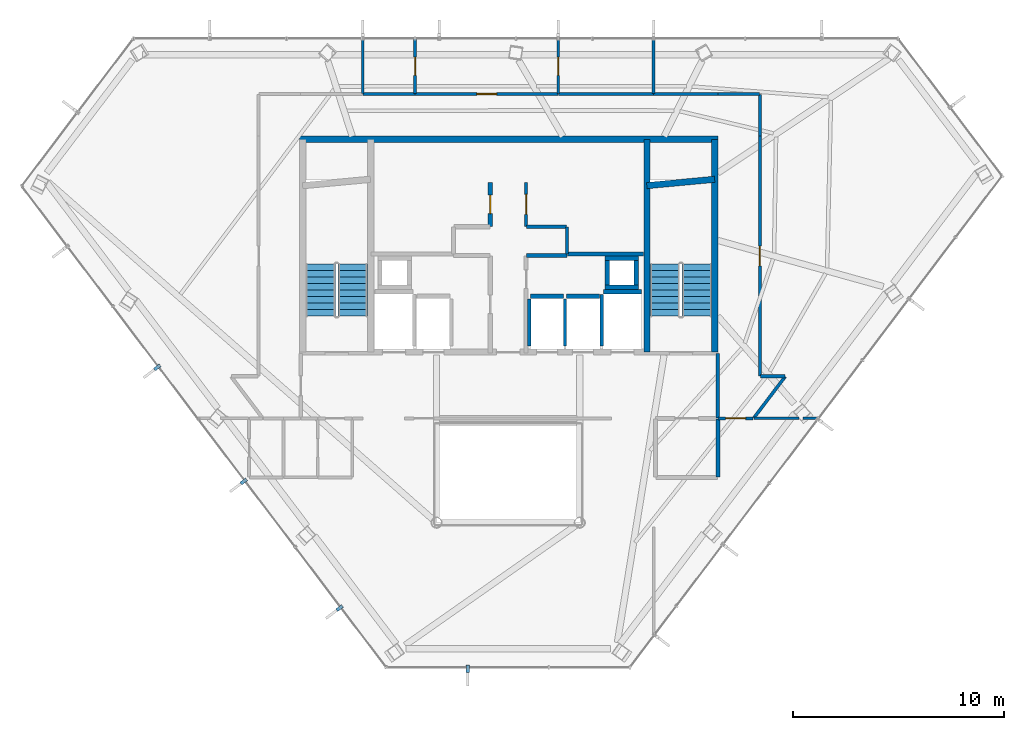
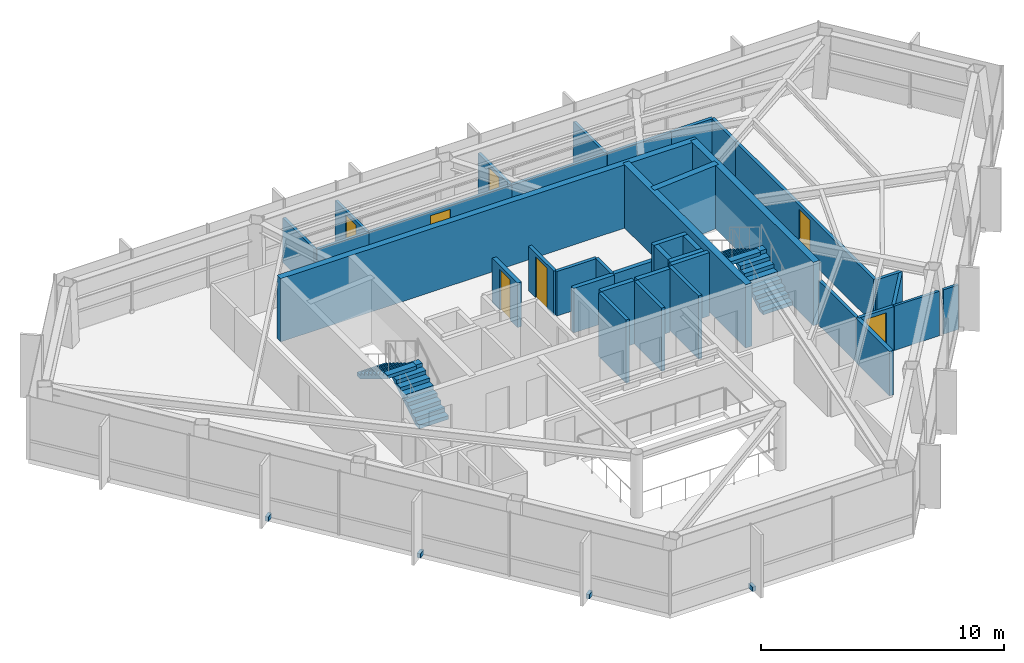
# One storey, part 25 of 27: 38 walls, 7 doors, 4 discrete accessories, 4 stair flights, 7 openings, 2 elements without a shape of their own.
"""IFC4 building model written with IfcOpenShell, lengths in metres."""

import ifcopenshell
import ifcopenshell.guid

model = None  # the IFC model being written
_history = None  # IfcOwnerHistory: only IFC2X3 demands one
_inside = {}  # id of a spatial element -> (the spatial element, [elements in it])
_under = {}  # id of a project, library or spatial element -> (it, [spatial elements below it])
_declared = {}  # id of a project -> (the project, [libraries it declares])
_typed = {}  # id of a type object -> (the type object, [elements of that type])
_made_of = {}  # id of a material, layer set ... -> (it, [elements and type objects made of it])


def new_model(schema):
    """Start an empty IFC model of exactly this schema.

    Asked for "IFC4X3", IfcOpenShell would pick the latest addendum, in which some entities
    have other attributes; the version numbers below select the first issue.
    IFC2X3 requires an IfcOwnerHistory on every rooted entity: one is made here for all.
    """
    global model, _history
    if schema == "IFC4X3":
        model = ifcopenshell.file(schema_version=(4, 3, 0, 0))
    else:
        model = ifcopenshell.file(schema=schema)
    _inside.clear()
    _under.clear()
    _declared.clear()
    _typed.clear()
    _made_of.clear()
    _history = None
    if model.schema == "IFC2X3":
        org = make("IfcOrganization", Name="unknown")
        user = make(
            "IfcPersonAndOrganization",
            ThePerson=make("IfcPerson", FamilyName="unknown"),
            TheOrganization=org,
        )
        app = make(
            "IfcApplication",
            ApplicationDeveloper=org,
            Version="unknown",
            ApplicationFullName="unknown",
            ApplicationIdentifier="unknown",
        )
        _history = make(
            "IfcOwnerHistory",
            OwningUser=user,
            OwningApplication=app,
            ChangeAction="ADDED",
            CreationDate=0,
        )
    return model


def make(cls, **values):
    """One entity of the class cls with the attributes given. An attribute that is None is left unset."""
    return model.create_entity(
        cls, **{name: value for name, value in values.items() if value is not None}
    )


def rooted(cls, **values):
    """An entity with a GlobalId (a new one), such as an element, a storey or a relation."""
    return make(cls, GlobalId=ifcopenshell.guid.new(), OwnerHistory=_history, **values)


def si_unit(unit_type, name, prefix=None):
    """IfcSIUnit, for example si_unit("LENGTHUNIT", "METRE", prefix="MILLI")."""
    return make("IfcSIUnit", UnitType=unit_type, Prefix=prefix, Name=name)


def assignment(units):
    """IfcUnitAssignment: the units of a project."""
    return None if units is None else make("IfcUnitAssignment", Units=units)


def point(xyz):
    """IfcCartesianPoint."""
    return None if xyz is None else make("IfcCartesianPoint", Coordinates=xyz)


def direction(xyz):
    """IfcDirection."""
    return None if xyz is None else make("IfcDirection", DirectionRatios=xyz)


def frame(location, z_axis=None, x_axis=None):
    """IfcAxis2Placement3D, a coordinate frame: its origin and axes. An axis left out is left unset."""
    return make(
        "IfcAxis2Placement3D",
        Location=point(location),
        Axis=direction(z_axis),
        RefDirection=direction(x_axis),
    )


def frame_2d(location, x_axis=None):
    """IfcAxis2Placement2D, a coordinate frame in the plane: its origin and x axis."""
    return make(
        "IfcAxis2Placement2D", Location=point(location), RefDirection=direction(x_axis)
    )


def origin():
    """The frame at (0, 0, 0) with its axes left unset."""
    return frame((0.0, 0.0, 0.0))


def origin_2d():
    """The frame at (0, 0) in the plane with its x axis left unset."""
    return frame_2d((0.0, 0.0))


def place(relative_to, where):
    """IfcLocalPlacement: puts the frame where relative to a parent placement (None: the world)."""
    return make(
        "IfcLocalPlacement", PlacementRelTo=relative_to, RelativePlacement=where
    )


def context(
    kind, dimensions, precision=None, world=None, true_north=None, identifier=None
):
    """IfcGeometricRepresentationContext, for example the 3D "Model" context."""
    return make(
        "IfcGeometricRepresentationContext",
        ContextIdentifier=identifier,
        ContextType=kind,
        CoordinateSpaceDimension=dimensions,
        Precision=precision,
        WorldCoordinateSystem=world,
        TrueNorth=true_north,
    )


def subcontext(parent, identifier, kind, view, scale=None):
    """IfcGeometricRepresentationSubContext, for example "Body" below "Model"."""
    return make(
        "IfcGeometricRepresentationSubContext",
        ContextIdentifier=identifier,
        ContextType=kind,
        ParentContext=parent,
        TargetScale=scale,
        TargetView=view,
    )


def project(units=None, contexts=None):
    """IfcProject with its units and contexts."""
    return rooted(
        "IfcProject",
        Name="project",
        RepresentationContexts=contexts,
        UnitsInContext=assignment(units),
    )


def spatial(cls, under=None, at=None, **own):
    """A site, building, storey or space (cls), placed at a placement, below another one or the project."""
    s = rooted(cls, ObjectPlacement=at, **own)
    if under is not None:
        _under.setdefault(under.id(), (under, []))[1].append(s)
    return s


def polyline(points):
    """IfcPolyline through the points."""
    return make("IfcPolyline", Points=[point(p) for p in points])


def profile(cls, at=None, kind="AREA", **sizes):
    """A parametric profile (cls). Its sizes go by their IFC names, for example OverallWidth=200.0."""
    return make(cls, ProfileType=kind, Position=at, **sizes)


def rectangle(**sizes):
    """IfcRectangleProfileDef."""
    return profile("IfcRectangleProfileDef", **sizes)


def outline(outer, holes=None, kind="AREA"):
    """IfcArbitraryClosedProfileDef: a profile drawn as a closed curve; with holes, ...WithVoids."""
    if holes is None:
        return make("IfcArbitraryClosedProfileDef", ProfileType=kind, OuterCurve=outer)
    return make(
        "IfcArbitraryProfileDefWithVoids",
        ProfileType=kind,
        OuterCurve=outer,
        InnerCurves=holes,
    )


def extrude(swept, where, along, depth):
    """IfcExtrudedAreaSolid: the profile swept, set in the frame where, extruded along a direction by depth."""
    return make(
        "IfcExtrudedAreaSolid",
        SweptArea=swept,
        Position=where,
        ExtrudedDirection=direction(along),
        Depth=depth,
    )


def shape(context_of_items, identifier, shape_type, items):
    """IfcShapeRepresentation: the items that make up one representation, for example the "Body"."""
    return make(
        "IfcShapeRepresentation",
        ContextOfItems=context_of_items,
        RepresentationIdentifier=identifier,
        RepresentationType=shape_type,
        Items=items,
    )


def material(Name=None, Category=None):
    """IfcMaterial."""
    return make("IfcMaterial", Name=Name, Category=Category)


def layer(
    of_material, thickness, ventilated=None, Name=None, Category=None, Priority=None
):
    """IfcMaterialLayer: one layer of a wall or slab, of a material (None: an air gap)."""
    return make(
        "IfcMaterialLayer",
        Material=of_material,
        LayerThickness=thickness,
        IsVentilated=ventilated,
        Name=Name,
        Category=Category,
        Priority=Priority,
    )


def layer_set(layers, Name=None):
    """IfcMaterialLayerSet."""
    return make("IfcMaterialLayerSet", MaterialLayers=layers, LayerSetName=Name)


def made_of(thing, what):
    """Note that an element or type object is made of a material, layer set ...; save() writes the relation."""
    if what is not None:
        _made_of.setdefault(what.id(), (what, []))[1].append(thing)
    return thing


def type_object(cls, material=None, **own):
    """A type object (cls), such as IfcWallType, which elements share."""
    return made_of(rooted(cls, **own), material)


def element(
    cls,
    number,
    at=None,
    inside=None,
    cuts=None,
    type_object=None,
    material=None,
    context=None,
    identifier="Body",
    shape_type=None,
    held_by="IfcProductDefinitionShape",
    body=None,
    shapes=None,
    **own,
):
    """One element of the class cls, such as IfcWall. Its Tag is "e" and its number.

    at: its placement. inside: the storey or other place that contains it. cuts: it is an
    opening in that element (IfcRelVoidsElement). A single representation is given by context,
    identifier, shape_type and body (its items); several are given by shapes. held_by: the class
    of the entity that holds the representations. save() writes the other relations.
    """
    e = rooted(cls, Tag="e%d" % number, ObjectPlacement=at, **own)
    if body is not None:
        shapes = [shape(context, identifier, shape_type, body)]
    if shapes is not None:
        e.Representation = make(held_by, Representations=shapes)
    if inside is not None:
        _inside.setdefault(inside.id(), (inside, []))[1].append(e)
    if cuts is not None:
        rooted(
            "IfcRelVoidsElement", RelatingBuildingElement=cuts, RelatedOpeningElement=e
        )
    if type_object is not None:
        _typed.setdefault(type_object.id(), (type_object, []))[1].append(e)
    return made_of(e, material)


def fill(opening, filler):
    """IfcRelFillsElement: the door or window that sits in an opening."""
    return rooted(
        "IfcRelFillsElement",
        RelatingOpeningElement=opening,
        RelatedBuildingElement=filler,
    )


def aggregate(whole, parts):
    """IfcRelAggregates: a whole, such as a stair, and the parts it consists of."""
    return rooted("IfcRelAggregates", RelatingObject=whole, RelatedObjects=parts)


def save(model, path):
    """Write the relations noted so far, then the file.

    IfcRelAggregates (storeys below a building ...), IfcRelContainedInSpatialStructure (elements
    in a storey), IfcRelDefinesByType, IfcRelAssociatesMaterial and IfcRelDeclares: one each for
    every whole, place, type object, material and project.
    """
    for whole, parts in _under.values():
        aggregate(whole, parts)
    for where, things in _inside.values():
        rooted(
            "IfcRelContainedInSpatialStructure",
            RelatedElements=things,
            RelatingStructure=where,
        )
    for kind, things in _typed.values():
        rooted("IfcRelDefinesByType", RelatedObjects=things, RelatingType=kind)
    for what, things in _made_of.values():
        rooted("IfcRelAssociatesMaterial", RelatedObjects=things, RelatingMaterial=what)
    for by, libraries in _declared.values():
        rooted("IfcRelDeclares", RelatingContext=by, RelatedDefinitions=libraries)
    model.write(path)


model = new_model("IFC4")

# Units and contexts
model_context = context("Model", 3, precision=1e-05, world=origin(), true_north=direction((0.0, 1.0)))
body_context = subcontext(model_context, "Body", "Model", "MODEL_VIEW")
ifc_project = project(units=[si_unit("LENGTHUNIT", "METRE"), si_unit("AREAUNIT", "SQUARE_METRE"), si_unit("VOLUMEUNIT", "CUBIC_METRE"), si_unit("PLANEANGLEUNIT", "RADIAN"), si_unit("MASSUNIT", "GRAM", prefix="KILO")], contexts=[model_context])

# Site, building, storey
site_placement = place(None, origin())
site = spatial("IfcSite", under=ifc_project, at=site_placement, CompositionType="ELEMENT")
building_placement = place(site_placement, origin())
building = spatial("IfcBuilding", under=site, at=building_placement, Name="Zarrinselat Tower", CompositionType="ELEMENT")
storey_placement = place(building_placement, frame((0.0, 0.0, 235.9599609375)))
storey = spatial("IfcBuildingStorey", under=building, at=storey_placement, Name="L59", CompositionType="ELEMENT", Elevation=235.9599609375)

# Wall
ifc_material_1 = material(Name="Concrete C40/50", Category="concrete")
ifc_layer_1 = layer(ifc_material_1, 0.18994140625)
ifc_layer_set_1 = layer_set([ifc_layer_1], Name="Concrete C40/50")
wall_type_1 = type_object("IfcWallType", Name="WAL-PART-EI120", PredefinedType="PARTITIONING", material=ifc_layer_set_1)
wall_1_placement = place(storey_placement, frame((48.35009765625, 27.3701171875, 0.0), z_axis=(0.0, 0.0, 1.0), x_axis=(0.0, 1.0, 0.0)))
element("IfcWall", 1, at=wall_1_placement, inside=storey, type_object=wall_type_1, Name="L59 Partition Wall 22", PredefinedType="PARTITIONING", context=body_context, shape_type="SweptSolid", body=[
    extrude(rectangle(XDim=2.759765625, YDim=0.18994140625, at=frame_2d((1.3798828125, 0.0))), origin(), (0.0, 0.0, 1.0), 2.235107421875),
])

# Wall, opening, door
ifc_material_2 = material(Name="Fire-Rated Gypsum Board Partition", Category="gypsum")
ifc_layer_2 = layer(ifc_material_2, 0.14990234375)
ifc_layer_set_2 = layer_set([ifc_layer_2], Name="Fire-Rated Gypsum Board Partition")
wall_type_2 = type_object("IfcWallType", Name="WAL-PART-EI60", PredefinedType="PARTITIONING", material=ifc_layer_set_2)
wall_2_placement = place(storey_placement, frame((39.25, 39.27001953125, 0.0), z_axis=(0.0, 0.0, 1.0), x_axis=(0.0, 1.0, 0.0)))
wall_2 = element("IfcWall", 2, at=wall_2_placement, inside=storey, type_object=wall_type_2, Name="L59 Partition Wall 8", PredefinedType="PARTITIONING", context=body_context, shape_type="SweptSolid", body=[
    extrude(rectangle(XDim=2.080078125, YDim=0.14990234375, at=frame_2d((1.0400390625, 0.0))), origin(), (0.0, 0.0, 1.0), 2.235107421875),
])
opening_1_placement = place(wall_2_placement, frame((0.570068359375, 0.0, 0.0)))
opening_1 = element("IfcOpeningElement", 3, at=opening_1_placement, cuts=wall_2, Name="Opening ID-04", PredefinedType="OPENING", context=body_context, shape_type="SweptSolid", body=[
    extrude(rectangle(XDim=0.93994140625, YDim=2.050048828125, at=frame_2d((0.469970703125, 1.02490234375))), frame((0.0, 0.0849609375, 0.0), z_axis=(0.0, -1.0, 0.0), x_axis=(1.0, 0.0, 0.0)), (0.0, 0.0, 1.0), 0.169921875),
])
ifc_material_3 = material(Name="Fire-Rated Gypsum Board Partition")
door_type_1 = type_object("IfcDoorType", Name="DR-INT-FD30-ENT", OperationType="NOTDEFINED", PredefinedType="DOOR", material=ifc_material_3)
door_1_placement = place(opening_1_placement, origin())
door_1 = element("IfcDoor", 4, at=door_1_placement, inside=storey, type_object=door_type_1, Name="L59 Interior Door P8", OperationType="SINGLE_SWING_LEFT", OverallHeight=2.050048828125, OverallWidth=0.93994140625, PredefinedType="DOOR", context=body_context, shape_type="SweptSolid", body=[
    extrude(rectangle(XDim=0.93994140625, YDim=2.050048828125, at=frame_2d((0.469970703125, 1.02490234375))), frame((0.0, 0.02490234375, 0.0), z_axis=(0.0, -1.0, 0.0), x_axis=(1.0, 0.0, 0.0)), (0.0, 0.0, 1.0), 0.050048828125),
])
fill(opening_1, door_1)

# Walls
wall_3_placement = place(storey_placement, frame((39.27001953125, 39.25, 0.0), z_axis=(0.0, 0.0, 1.0), x_axis=(1.0, 0.0, 0.0)))
element("IfcWall", 5, at=wall_3_placement, inside=storey, type_object=wall_type_2, Name="L59 Partition Wall 9", PredefinedType="PARTITIONING", context=body_context, shape_type="SweptSolid", body=[
    extrude(rectangle(XDim=1.909912109375, YDim=0.14990234375, at=frame_2d((0.955078125, 0.0))), origin(), (0.0, 0.0, 1.0), 2.235107421875),
])
wall_4_placement = place(storey_placement, frame((41.199951171875, 37.955078125, 0.0), z_axis=(0.0, 0.0, 1.0), x_axis=(0.0, 1.0, 0.0)))
element("IfcWall", 6, at=wall_4_placement, inside=storey, type_object=wall_type_2, Name="L59 Partition Wall 10", PredefinedType="PARTITIONING", context=body_context, shape_type="SweptSolid", body=[
    extrude(rectangle(XDim=1.27490234375, YDim=0.14990234375, at=frame_2d((0.637451171875, 0.0))), origin(), (0.0, 0.0, 1.0), 2.235107421875),
])
wall_5_placement = place(storey_placement, frame((48.35009765625, 30.169921875, 0.0), z_axis=(0.0, 0.0, 1.0), x_axis=(0.0, 1.0, 0.0)))
element("IfcWall", 7, at=wall_5_placement, inside=storey, type_object=wall_type_2, Name="L59 Partition Wall 15", PredefinedType="PARTITIONING", context=body_context, shape_type="SweptSolid", body=[
    extrude(rectangle(XDim=3.06005859375, YDim=0.14990234375, at=frame_2d((1.530029296875, 0.0))), origin(), (0.0, 0.0, 1.0), 2.235107421875),
])

# Wall, opening, door
wall_6_placement = place(storey_placement, frame((48.3701171875, 30.14990234375, 0.0), z_axis=(0.0, 0.0, 1.0), x_axis=(1.0, 0.0, 0.0)))
wall_6 = element("IfcWall", 8, at=wall_6_placement, inside=storey, type_object=wall_type_2, Name="L59 Partition Wall 25", PredefinedType="PARTITIONING", context=body_context, shape_type="SweptSolid", body=[
    extrude(rectangle(XDim=1.6552734375, YDim=0.14990234375, at=frame_2d((0.82763671875, 0.0))), origin(), (0.0, 0.0, 1.0), 2.235107421875),
])
opening_2_placement = place(wall_6_placement, frame((0.357666015625, 0.0, 0.0)))
opening_2 = element("IfcOpeningElement", 9, at=opening_2_placement, cuts=wall_6, Name="Opening ID-04", PredefinedType="OPENING", context=body_context, shape_type="SweptSolid", body=[
    extrude(rectangle(XDim=0.93994140625, YDim=2.050048828125, at=frame_2d((0.469970703125, 1.02490234375))), frame((0.0, 0.0849609375, 0.0), z_axis=(0.0, -1.0, 0.0), x_axis=(1.0, 0.0, 0.0)), (0.0, 0.0, 1.0), 0.169921875),
])
door_2_placement = place(opening_2_placement, origin())
door_2 = element("IfcDoor", 10, at=door_2_placement, inside=storey, type_object=door_type_1, Name="L59 Interior Door P25", OperationType="SINGLE_SWING_RIGHT", OverallHeight=2.050048828125, OverallWidth=0.93994140625, PredefinedType="DOOR", context=body_context, shape_type="SweptSolid", body=[
    extrude(rectangle(XDim=0.93994140625, YDim=2.050048828125, at=frame_2d((0.469970703125, 1.02490234375))), frame((0.0, 0.02490234375, 0.0), z_axis=(0.0, -1.0, 0.0), x_axis=(1.0, 0.0, 0.0)), (0.0, 0.0, 1.0), 0.050048828125),
])
fill(opening_2, door_2)

# Walls
wall_7_placement = place(storey_placement, frame((45.304931640625, 45.550048828125, 0.0), z_axis=(0.0, 0.0, 1.0), x_axis=(1.0, 0.0, 0.0)))
element("IfcWall", 11, at=wall_7_placement, inside=storey, type_object=wall_type_2, Name="L59 Partition Wall 32", PredefinedType="PARTITIONING", context=body_context, shape_type="SweptSolid", body=[
    extrude(rectangle(XDim=3.045166015625, YDim=0.14990234375, at=frame_2d((1.5224609375, 0.0))), origin(), (0.0, 0.0, 1.0), 2.235107421875),
])
for number, where, z_axis, x_axis, name in (
    (12, (48.35009765625, 45.550048828125, 0.0), (0.0, 0.0, 1.0), (1.0, 0.0, 0.0), "L59 Partition Wall 33"),
    (13, (50.35009765625, 43.550048828125, 0.0), (0.0, 0.0, 1.0), (0.0, 1.0, 0.0), "L59 Partition Wall 34"),
):
    element("IfcWall", number, at=place(storey_placement, frame(where, z_axis=z_axis, x_axis=x_axis)), inside=storey, type_object=wall_type_2, Name=name, PredefinedType="PARTITIONING", context=body_context, shape_type="SweptSolid", body=[
        extrude(rectangle(XDim=1.97998046875, YDim=0.14990234375, at=frame_2d((0.989990234375, 0.0))), origin(), (0.0, 0.0, 1.0), 2.235107421875),
    ])

# Wall, opening, door
wall_8_placement = place(storey_placement, frame((50.35009765625, 32.169921875, 0.0), z_axis=(0.0, 0.0, 1.0), x_axis=(0.0, 1.0, 0.0)))
wall_8 = element("IfcWall", 14, at=wall_8_placement, inside=storey, type_object=wall_type_2, Name="L59 Partition Wall 35", PredefinedType="PARTITIONING", context=body_context, shape_type="SweptSolid", body=[
    extrude(rectangle(XDim=11.380126953125, YDim=0.14990234375, at=frame_2d((5.68994140625, 0.0))), origin(), (0.0, 0.0, 1.0), 2.235107421875),
])
opening_3_placement = place(wall_8_placement, frame((5.219970703125, 0.0, 0.0)))
opening_3 = element("IfcOpeningElement", 15, at=opening_3_placement, cuts=wall_8, Name="Opening ID-04", PredefinedType="OPENING", context=body_context, shape_type="SweptSolid", body=[
    extrude(rectangle(XDim=0.93994140625, YDim=2.050048828125, at=frame_2d((0.469970703125, 1.02490234375))), frame((0.0, 0.0849609375, 0.0), z_axis=(0.0, -1.0, 0.0), x_axis=(1.0, 0.0, 0.0)), (0.0, 0.0, 1.0), 0.169921875),
])
door_3_placement = place(opening_3_placement, origin())
door_3 = element("IfcDoor", 16, at=door_3_placement, inside=storey, type_object=door_type_1, Name="L59 Interior Door P35", OperationType="SINGLE_SWING_RIGHT", OverallHeight=2.050048828125, OverallWidth=0.93994140625, PredefinedType="DOOR", context=body_context, shape_type="SweptSolid", body=[
    extrude(rectangle(XDim=0.93994140625, YDim=2.050048828125, at=frame_2d((0.469970703125, 1.02490234375))), frame((0.0, 0.02490234375, 0.0), z_axis=(0.0, -1.0, 0.0), x_axis=(1.0, 0.0, 0.0)), (0.0, 0.0, 1.0), 0.050048828125),
])
fill(opening_3, door_3)

# Walls
wall_9_placement = place(storey_placement, frame((50.3701171875, 32.14990234375, 0.0), z_axis=(0.0, 0.0, 1.0), x_axis=(1.0, 0.0, 0.0)))
element("IfcWall", 17, at=wall_9_placement, inside=storey, type_object=wall_type_2, Name="L59 Partition Wall 36", PredefinedType="PARTITIONING", context=body_context, shape_type="SweptSolid", body=[
    extrude(rectangle(XDim=1.17041015625, YDim=0.14990234375, at=frame_2d((0.585205078125, 0.0))), origin(), (0.0, 0.0, 1.0), 2.235107421875),
])
wall_10_placement = place(storey_placement, frame((50.057373046875, 30.166015625, 0.0), z_axis=(0.0, 0.0, 1.0), x_axis=(0.603869110647, 0.797083494502, 0.0)))
element("IfcWall", 18, at=wall_10_placement, inside=storey, type_object=wall_type_2, Name="L59 Partition Wall 37", PredefinedType="PARTITIONING", context=body_context, shape_type="SweptSolid", body=[
    extrude(rectangle(XDim=2.468994140625, YDim=0.14990234375, at=frame_2d((1.234375, 0.0))), origin(), (0.0, 0.0, 1.0), 2.235107421875),
])

# Wall, opening, door
wall_11_placement = place(storey_placement, frame((33.989013671875, 45.550048828125, 0.0), z_axis=(0.0, 0.0, 1.0), x_axis=(1.0, 0.0, 0.0)))
wall_11 = element("IfcWall", 19, at=wall_11_placement, inside=storey, type_object=wall_type_2, Name="L59 Partition Wall 38", PredefinedType="PARTITIONING", context=body_context, shape_type="SweptSolid", body=[
    extrude(rectangle(XDim=6.779541015625, YDim=0.14990234375, at=frame_2d((3.3896484375, 0.0))), origin(), (0.0, 0.0, 1.0), 2.235107421875),
])
opening_4_placement = place(wall_11_placement, frame((2.919921875, 0.0, 0.0)))
opening_4 = element("IfcOpeningElement", 20, at=opening_4_placement, cuts=wall_11, Name="Opening ID-04", PredefinedType="OPENING", context=body_context, shape_type="SweptSolid", body=[
    extrude(rectangle(XDim=0.93994140625, YDim=2.050048828125, at=frame_2d((0.469970703125, 1.02490234375))), frame((0.0, 0.0849609375, 0.0), z_axis=(0.0, -1.0, 0.0), x_axis=(1.0, 0.0, 0.0)), (0.0, 0.0, 1.0), 0.169921875),
])
door_4_placement = place(opening_4_placement, origin())
door_4 = element("IfcDoor", 21, at=door_4_placement, inside=storey, type_object=door_type_1, Name="L59 Interior Door P38", OperationType="SINGLE_SWING_LEFT", OverallHeight=2.050048828125, OverallWidth=0.93994140625, PredefinedType="DOOR", context=body_context, shape_type="SweptSolid", body=[
    extrude(rectangle(XDim=0.93994140625, YDim=2.050048828125, at=frame_2d((0.469970703125, 1.02490234375))), frame((0.0, 0.02490234375, 0.0), z_axis=(0.0, -1.0, 0.0), x_axis=(1.0, 0.0, 0.0)), (0.0, 0.0, 1.0), 0.050048828125),
])
fill(opening_4, door_4)

# Walls
wall_12_placement = place(storey_placement, frame((40.778564453125, 45.550048828125, 0.0), z_axis=(0.0, 0.0, 1.0), x_axis=(1.0, 0.0, 0.0)))
element("IfcWall", 22, at=wall_12_placement, inside=storey, type_object=wall_type_2, Name="L59 Partition Wall 39", PredefinedType="PARTITIONING", context=body_context, shape_type="SweptSolid", body=[
    extrude(rectangle(XDim=4.516357421875, YDim=0.14990234375, at=frame_2d((2.25830078125, 0.0))), origin(), (0.0, 0.0, 1.0), 2.235107421875),
])
wall_13_placement = place(storey_placement, frame((31.5048828125, 45.550048828125, 0.0), z_axis=(0.0, 0.0, 1.0), x_axis=(1.0, 0.0, 0.0)))
element("IfcWall", 23, at=wall_13_placement, inside=storey, type_object=wall_type_2, Name="L59 Partition Wall 40", PredefinedType="PARTITIONING", context=body_context, shape_type="SweptSolid", body=[
    extrude(rectangle(XDim=2.47412109375, YDim=0.14990234375, at=frame_2d((1.237060546875, 0.0))), origin(), (0.0, 0.0, 1.0), 2.235107421875),
])

# Wall, opening, door
ifc_material_4 = material(Name="Concrete C40/50", Category="concrete")
ifc_layer_3 = layer(ifc_material_4, 0.199951171875)
ifc_layer_set_3 = layer_set([ifc_layer_3], Name="Concrete C40/50")
wall_type_3 = type_object("IfcWallType", Name="WAL-PART-PLANT", PredefinedType="PARTITIONING", material=ifc_layer_set_3)
wall_14_placement = place(storey_placement, frame((37.550048828125, 39.27001953125, 0.0), z_axis=(0.0, 0.0, 1.0), x_axis=(0.0, 1.0, 0.0)))
wall_14 = element("IfcWall", 24, at=wall_14_placement, inside=storey, type_object=wall_type_3, Name="L59 Partition Wall 5", PredefinedType="PARTITIONING", context=body_context, shape_type="SweptSolid", body=[
    extrude(rectangle(XDim=2.080078125, YDim=0.199951171875, at=frame_2d((1.0400390625, 0.0))), origin(), (0.0, 0.0, 1.0), 2.235107421875),
])
opening_5_placement = place(wall_14_placement, frame((0.60009765625, 0.0, 0.0)))
opening_5 = element("IfcOpeningElement", 25, at=opening_5_placement, cuts=wall_14, Name="Opening ID-03", PredefinedType="OPENING", context=body_context, shape_type="SweptSolid", body=[
    extrude(rectangle(XDim=0.8798828125, YDim=2.050048828125, at=frame_2d((0.43994140625, 1.02490234375))), frame((0.0, 0.10986328125, 0.0), z_axis=(0.0, -1.0, 0.0), x_axis=(1.0, 0.0, 0.0)), (0.0, 0.0, 1.0), 0.219970703125),
])
ifc_material_5 = material(Name="Steel S355J2", Category="steel")
door_type_2 = type_object("IfcDoorType", Name="DR-INT-FD60-S", OperationType="NOTDEFINED", PredefinedType="DOOR", material=ifc_material_5)
door_5_placement = place(opening_5_placement, origin())
door_5 = element("IfcDoor", 26, at=door_5_placement, inside=storey, type_object=door_type_2, Name="L59 Interior Door P5", OperationType="SINGLE_SWING_LEFT", OverallHeight=2.050048828125, OverallWidth=0.8798828125, PredefinedType="DOOR", context=body_context, shape_type="SweptSolid", body=[
    extrude(rectangle(XDim=0.8798828125, YDim=2.050048828125, at=frame_2d((0.43994140625, 1.02490234375))), frame((0.0, 0.02490234375, 0.0), z_axis=(0.0, -1.0, 0.0), x_axis=(1.0, 0.0, 0.0)), (0.0, 0.0, 1.0), 0.050048828125),
])
fill(opening_5, door_5)

# Walls
wall_15_placement = place(storey_placement, frame((39.27001953125, 37.8798828125, 0.0), z_axis=(0.0, 0.0, 1.0), x_axis=(1.0, 0.0, 0.0)))
element("IfcWall", 27, at=wall_15_placement, inside=storey, type_object=wall_type_3, Name="L59 Partition Wall 6", PredefinedType="PARTITIONING", context=body_context, shape_type="SweptSolid", body=[
    extrude(rectangle(XDim=1.929931640625, YDim=0.199951171875, at=frame_2d((0.96484375, 0.0))), origin(), (0.0, 0.0, 1.0), 2.235107421875),
])
wall_16_placement = place(storey_placement, frame((41.219970703125, 37.949951171875, 0.0), z_axis=(0.0, 0.0, 1.0), x_axis=(1.0, 0.0, 0.0)))
element("IfcWall", 28, at=wall_16_placement, inside=storey, type_object=wall_type_3, Name="L59 Partition Wall 12", PredefinedType="PARTITIONING", context=body_context, shape_type="SweptSolid", body=[
    extrude(rectangle(XDim=3.614990234375, YDim=0.199951171875, at=frame_2d((1.8076171875, 0.0))), origin(), (0.0, 0.0, 1.0), 2.235107421875),
])
ifc_material_6 = material(Name="Fire-Rated Gypsum Board Partition", Category="gypsum")
ifc_layer_4 = layer(ifc_material_6, 0.1201171875)
ifc_layer_set_4 = layer_set([ifc_layer_4], Name="Fire-Rated Gypsum Board Partition")
wall_type_4 = type_object("IfcWallType", Name="WAL-PART-STD", PredefinedType="PARTITIONING", material=ifc_layer_set_4)
wall_17_placement = place(storey_placement, frame((50.065185546875, 30.14990234375, 0.0), z_axis=(0.0, 0.0, 1.0), x_axis=(1.0, 0.0, 0.0)))
element("IfcWall", 29, at=wall_17_placement, inside=storey, type_object=wall_type_4, Name="L59 Partition Wall 52", PredefinedType="PARTITIONING", context=body_context, shape_type="SweptSolid", body=[
    extrude(rectangle(XDim=2.13134765625, YDim=0.1201171875, at=frame_2d((1.065673828125, 0.0))), origin(), (0.0, 0.0, 1.0), 2.235107421875),
])
wall_18_placement = place(storey_placement, frame((52.403564453125, 30.14990234375, 0.0), z_axis=(0.0, 0.0, 1.0), x_axis=(1.0, 0.0, 0.0)))
element("IfcWall", 30, at=wall_18_placement, inside=storey, type_object=wall_type_4, Name="L59 Partition Wall 53", PredefinedType="PARTITIONING", context=body_context, shape_type="SweptSolid", body=[
    extrude(rectangle(XDim=0.712890625, YDim=0.1201171875, at=frame_2d((0.3564453125, 0.0))), origin(), (0.0, 0.0, 1.0), 2.235107421875),
])
ifc_material_7 = material(Name="Fire-Rated Gypsum Board Partition", Category="gypsum")
ifc_layer_5 = layer(ifc_material_7, 0.135009765625)
ifc_layer_set_5 = layer_set([ifc_layer_5], Name="Fire-Rated Gypsum Board Partition")
wall_type_5 = type_object("IfcWallType", Name="WAL-PART-WET", PredefinedType="PARTITIONING", material=ifc_layer_set_5)
for number, where, z_axis, x_axis, name in (
    (31, (31.5, 45.570068359375, 0.0), (0.0, 0.0, 1.0), (0.0, 1.0, 0.0), "L59 Partition Wall 54"),
    (32, (45.300048828125, 45.570068359375, 0.0), (0.0, 0.0, 1.0), (0.0, 1.0, 0.0), "L59 Partition Wall 55"),
):
    element("IfcWall", number, at=place(storey_placement, frame(where, z_axis=z_axis, x_axis=x_axis)), inside=storey, type_object=wall_type_5, Name=name, PredefinedType="PARTITIONING", context=body_context, shape_type="SweptSolid", body=[
        extrude(rectangle(XDim=2.5927734375, YDim=0.135009765625, at=frame_2d((1.29638671875, 0.0))), origin(), (0.0, 0.0, 1.0), 2.235107421875),
    ])

# Wall, opening, door
wall_19_placement = place(storey_placement, frame((40.773681640625, 45.570068359375, 0.0), z_axis=(0.0, 0.0, 1.0), x_axis=(0.0, 1.0, 0.0)))
wall_19 = element("IfcWall", 33, at=wall_19_placement, inside=storey, type_object=wall_type_5, Name="L59 Partition Wall 56", PredefinedType="PARTITIONING", context=body_context, shape_type="SweptSolid", body=[
    extrude(rectangle(XDim=2.5927734375, YDim=0.135009765625, at=frame_2d((1.29638671875, 0.0))), origin(), (0.0, 0.0, 1.0), 2.235107421875),
])
opening_6_placement = place(wall_19_placement, frame((0.866455078125, 0.0, 0.0)))
opening_6 = element("IfcOpeningElement", 34, at=opening_6_placement, cuts=wall_19, Name="Opening ID-06", PredefinedType="OPENING", context=body_context, shape_type="SweptSolid", body=[
    extrude(rectangle(XDim=0.860107421875, YDim=2.050048828125, at=frame_2d((0.43017578125, 1.02490234375))), frame((0.0, 0.077392578125, 0.0), z_axis=(0.0, -1.0, 0.0), x_axis=(1.0, 0.0, 0.0)), (0.0, 0.0, 1.0), 0.155029296875),
])
ifc_material_8 = material(Name="Extruded Aluminium Alloy EN AW-6063 T6", Category="aluminium")
door_type_3 = type_object("IfcDoorType", Name="DR-INT-WET-900", OperationType="NOTDEFINED", PredefinedType="DOOR", material=ifc_material_8)
door_6_placement = place(opening_6_placement, origin())
door_6 = element("IfcDoor", 35, at=door_6_placement, inside=storey, type_object=door_type_3, Name="L59 Interior Door P56", OperationType="SINGLE_SWING_RIGHT", OverallHeight=2.050048828125, OverallWidth=0.860107421875, PredefinedType="DOOR", context=body_context, shape_type="SweptSolid", body=[
    extrude(rectangle(XDim=0.860107421875, YDim=2.050048828125, at=frame_2d((0.43017578125, 1.02490234375))), frame((0.0, 0.02490234375, 0.0), z_axis=(0.0, -1.0, 0.0), x_axis=(1.0, 0.0, 0.0)), (0.0, 0.0, 1.0), 0.050048828125),
])
fill(opening_6, door_6)

wall_20_placement = place(storey_placement, frame((33.98388671875, 45.570068359375, 0.0), z_axis=(0.0, 0.0, 1.0), x_axis=(0.0, 1.0, 0.0)))
wall_20 = element("IfcWall", 36, at=wall_20_placement, inside=storey, type_object=wall_type_5, Name="L59 Partition Wall 57", PredefinedType="PARTITIONING", context=body_context, shape_type="SweptSolid", body=[
    extrude(rectangle(XDim=2.5927734375, YDim=0.135009765625, at=frame_2d((1.29638671875, 0.0))), origin(), (0.0, 0.0, 1.0), 2.235107421875),
])
opening_7_placement = place(wall_20_placement, frame((0.866455078125, 0.0, 0.0)))
opening_7 = element("IfcOpeningElement", 37, at=opening_7_placement, cuts=wall_20, Name="Opening ID-06", PredefinedType="OPENING", context=body_context, shape_type="SweptSolid", body=[
    extrude(rectangle(XDim=0.860107421875, YDim=2.050048828125, at=frame_2d((0.43017578125, 1.02490234375))), frame((0.0, 0.077392578125, 0.0), z_axis=(0.0, -1.0, 0.0), x_axis=(1.0, 0.0, 0.0)), (0.0, 0.0, 1.0), 0.155029296875),
])
door_7_placement = place(opening_7_placement, origin())
door_7 = element("IfcDoor", 38, at=door_7_placement, inside=storey, type_object=door_type_3, Name="L59 Interior Door P57", OperationType="SINGLE_SWING_LEFT", OverallHeight=2.050048828125, OverallWidth=0.860107421875, PredefinedType="DOOR", context=body_context, shape_type="SweptSolid", body=[
    extrude(rectangle(XDim=0.860107421875, YDim=2.050048828125, at=frame_2d((0.43017578125, 1.02490234375))), frame((0.0, 0.02490234375, 0.0), z_axis=(0.0, -1.0, 0.0), x_axis=(1.0, 0.0, 0.0)), (0.0, 0.0, 1.0), 0.050048828125),
])
fill(opening_7, door_7)

# Walls
ifc_material_9 = material(Name="Concrete C40/50", Category="concrete")
ifc_layer_6 = layer(ifc_material_9, 0.2099609375)
ifc_layer_set_6 = layer_set([ifc_layer_6], Name="Concrete C40/50")
wall_type_6 = type_object("IfcWallType", Name="WAL-SHAFT-210", PredefinedType="SOLIDWALL", material=ifc_layer_set_6)
wall_21_placement = place(storey_placement, frame((42.919921875, 36.155029296875, 0.0), z_axis=(0.0, 0.0, 1.0), x_axis=(1.0, 0.0, 0.0)))
element("IfcWall", 39, at=wall_21_placement, inside=storey, type_object=wall_type_6, Name="L59 Lift FFL2 North Shaft Wall", PredefinedType="SOLIDWALL", context=body_context, shape_type="SweptSolid", body=[
    extrude(rectangle(XDim=1.800048828125, YDim=0.2099609375, at=frame_2d((0.89990234375, 0.0))), origin(), (0.0, 0.0, 1.0), 3.179931640625),
])
wall_22_placement = place(storey_placement, frame((42.85009765625, 33.580078125, 0.0), z_axis=(0.0, 0.0, 1.0), x_axis=(0.0, 1.0, 0.0)))
element("IfcWall", 40, at=wall_22_placement, inside=storey, type_object=wall_type_6, Name="L59 Lift FFL2 W Shaft Wall", PredefinedType="SOLIDWALL", context=body_context, shape_type="SweptSolid", body=[
    extrude(rectangle(XDim=2.449951171875, YDim=0.159912109375, at=frame_2d((1.22509765625, 0.0))), origin(), (0.0, 0.0, 1.0), 3.179931640625),
])
wall_23_placement = place(storey_placement, frame((39.469970703125, 35.955078125, 0.0), z_axis=(0.0, 0.0, 1.0), x_axis=(1.0, 0.0, 0.0)))
element("IfcWall", 41, at=wall_23_placement, inside=storey, type_object=wall_type_6, Name="L59 Lift PL8 North Shaft Wall", PredefinedType="SOLIDWALL", context=body_context, shape_type="SweptSolid", body=[
    extrude(rectangle(XDim=1.56005859375, YDim=0.2099609375, at=frame_2d((0.780029296875, 0.0))), origin(), (0.0, 0.0, 1.0), 3.179931640625),
])
for number, where, z_axis, x_axis, name in (
    (42, (39.39990234375, 33.580078125, 0.0), (0.0, 0.0, 1.0), (0.0, 1.0, 0.0), "L59 Lift PL8 W Shaft Wall"),
    (43, (41.10009765625, 33.580078125, 0.0), (0.0, 0.0, 1.0), (0.0, 1.0, 0.0), "L59 Lift PL8 E Shaft Wall"),
):
    element("IfcWall", number, at=place(storey_placement, frame(where, z_axis=z_axis, x_axis=x_axis)), inside=storey, type_object=wall_type_6, Name=name, PredefinedType="SOLIDWALL", context=body_context, shape_type="SweptSolid", body=[
        extrude(rectangle(XDim=2.25, YDim=0.159912109375, at=frame_2d((1.125, 0.0))), origin(), (0.0, 0.0, 1.0), 3.179931640625),
    ])
wall_24_placement = place(storey_placement, frame((41.169921875, 35.955078125, 0.0), z_axis=(0.0, 0.0, 1.0), x_axis=(1.0, 0.0, 0.0)))
element("IfcWall", 44, at=wall_24_placement, inside=storey, type_object=wall_type_6, Name="L59 Lift PL9 North Shaft Wall", PredefinedType="SOLIDWALL", context=body_context, shape_type="SweptSolid", body=[
    extrude(rectangle(XDim=1.56005859375, YDim=0.2099609375, at=frame_2d((0.780029296875, 0.0))), origin(), (0.0, 0.0, 1.0), 3.179931640625),
])
for number, where, z_axis, x_axis, name in (
    (45, (42.989990234375, 36.375, 0.0), (0.0, 0.0, 1.0), (1.0, 0.0, 0.0), "L59 Core Riser RSR-E S Shaft Wall"),
    (46, (42.989990234375, 37.7451171875, 0.0), (0.0, 0.0, 1.0), (1.0, 0.0, 0.0), "L59 Core Riser RSR-E N Shaft Wall"),
):
    element("IfcWall", number, at=place(storey_placement, frame(where, z_axis=z_axis, x_axis=x_axis)), inside=storey, type_object=wall_type_6, Name=name, PredefinedType="SOLIDWALL", context=body_context, shape_type="SweptSolid", body=[
        extrude(rectangle(XDim=1.60009765625, YDim=0.2099609375, at=frame_2d((0.800048828125, 0.0))), origin(), (0.0, 0.0, 1.0), 3.179931640625),
    ])
for number, where, z_axis, x_axis, name in (
    (47, (43.094970703125, 36.485107421875, 0.0), (0.0, 0.0, 1.0), (0.0, 1.0, 0.0), "L59 Core Riser RSR-E W Shaft Wall"),
    (48, (44.485107421875, 36.485107421875, 0.0), (0.0, 0.0, 1.0), (0.0, 1.0, 0.0), "L59 Core Riser RSR-E E Shaft Wall"),
):
    element("IfcWall", number, at=place(storey_placement, frame(where, z_axis=z_axis, x_axis=x_axis)), inside=storey, type_object=wall_type_6, Name=name, PredefinedType="SOLIDWALL", context=body_context, shape_type="SweptSolid", body=[
        extrude(rectangle(XDim=1.14990234375, YDim=0.2099609375, at=frame_2d((0.574951171875, 0.0))), origin(), (0.0, 0.0, 1.0), 3.179931640625),
    ])
ifc_material_10 = material(Name="Concrete C40/50", Category="concrete")
ifc_layer_7 = layer(ifc_material_10, 0.300048828125)
ifc_layer_set_7 = layer_set([ifc_layer_7], Name="Concrete C40/50")
wall_type_7 = type_object("IfcWallType", Name="WAL-SHEAR-300", PredefinedType="SHEAR", material=ifc_layer_set_7)
wall_25_placement = place(storey_placement, frame((28.5, 43.39990234375, 0.0), z_axis=(0.0, 0.0, 1.0), x_axis=(1.0, 0.0, 0.0)))
element("IfcWall", 49, at=wall_25_placement, inside=storey, type_object=wall_type_7, Name="L59 North Core Shear Wall", PredefinedType="SHEAR", context=body_context, shape_type="SweptSolid", body=[
    extrude(rectangle(XDim=19.860107421875, YDim=0.300048828125, at=frame_2d((9.93017578125, 0.0))), origin(), (0.0, 0.0, 1.0), 3.179931640625),
])
for number, where, z_axis, x_axis, name in (
    (50, (44.989990234375, 33.300048828125, 0.0), (0.0, 0.0, 1.0), (0.0, 1.0, 0.0), "L59 Core Shear Wall ST2W"),
    (51, (48.2099609375, 33.300048828125, 0.0), (0.0, 0.0, 1.0), (0.0, 1.0, 0.0), "L59 Core Shear Wall E"),
):
    element("IfcWall", number, at=place(storey_placement, frame(where, z_axis=z_axis, x_axis=x_axis)), inside=storey, type_object=wall_type_7, Name=name, PredefinedType="SHEAR", context=body_context, shape_type="SweptSolid", body=[
        extrude(rectangle(XDim=10.099853515625, YDim=0.300048828125, at=frame_2d((5.0498046875, 0.0))), origin(), (0.0, 0.0, 1.0), 3.179931640625),
    ])
wall_26_placement = place(storey_placement, frame((44.97998046875, 41.199951171875, 0.0), z_axis=(0.0, 0.0, 1.0), x_axis=(0.995686468965, 0.09278176286, 0.0)))
element("IfcWall", 52, at=wall_26_placement, inside=storey, type_object=wall_type_7, Name="L59 Stair 2 North Shaft Wall", PredefinedType="SHEAR", context=body_context, shape_type="SweptSolid", body=[
    extrude(rectangle(XDim=3.23388671875, YDim=0.300048828125, at=frame_2d((1.616943359375, 0.0))), origin(), (0.0, 0.0, 1.0), 3.179931640625),
])

# Stair, stair flights
ifc_material_11 = material(Name="Concrete C40/50", Category="concrete")
stair_type = type_object("IfcStairType", Name="STR-CORE-155", PredefinedType="HALF_TURN_STAIR", material=ifc_material_11)
stair_1_placement = place(storey_placement, origin())
stair_1 = element("IfcStair", 53, at=stair_1_placement, inside=storey, type_object=stair_type, Name="L59 Core Exit Stair 1", PredefinedType="HALF_TURN_STAIR")
ifc_material_12 = material(Name="Concrete C40/50", Category="concrete")
stair_flight_type = type_object("IfcStairFlightType", Name="STR-FLT-155", PredefinedType="STRAIGHT", material=ifc_material_12)
stair_flight_1_placement = place(storey_placement, frame((31.02001953125, 35.0, 0.0), z_axis=(0.0, 0.0, 1.0), x_axis=(0.0, 1.0, 0.0)))
stair_flight_1 = element("IfcStairFlight", 54, at=stair_flight_1_placement, type_object=stair_flight_type, Name="ST-1 flight 1", NumberOfRisers=9, NumberOfTreads=8, PredefinedType="STRAIGHT", RiserHeight=0.188888889, TreadLength=0.31, context=body_context, shape_type="SweptSolid", body=[
    extrude(outline(polyline([(0.0, 0.0), (0.0, 0.18896484375), (0.31005859375, 0.18896484375), (0.31005859375, 0.377685546875), (0.6201171875, 0.377685546875), (0.6201171875, 0.566650390625), (0.929931640625, 0.566650390625), (0.929931640625, 0.755615234375), (1.239990234375, 0.755615234375), (1.239990234375, 0.9443359375), (1.550048828125, 0.9443359375), (1.550048828125, 1.13330078125), (1.860107421875, 1.13330078125), (1.860107421875, 1.322265625), (2.169921875, 1.322265625), (2.169921875, 1.51123046875), (2.47998046875, 1.51123046875), (2.47998046875, 1.699951171875), (2.47998046875, 1.335693359375), (0.2880859375, 0.0), (0.0, 0.0)])), frame((0.0, 0.699951171875, 0.0), z_axis=(0.0, -1.0, 0.0), x_axis=(1.0, 0.0, 0.0)), (0.0, 0.0, 1.0), 1.39990234375),
])
stair_flight_2_placement = place(storey_placement, frame((29.5, 37.47998046875, 1.699951171875), z_axis=(0.0, 0.0, 1.0), x_axis=(0.0, -1.0, 0.0)))
stair_flight_2 = element("IfcStairFlight", 55, at=stair_flight_2_placement, type_object=stair_flight_type, Name="ST-1 flight 2", NumberOfRisers=9, NumberOfTreads=8, PredefinedType="STRAIGHT", RiserHeight=0.188888889, TreadLength=0.31, context=body_context, shape_type="SweptSolid", body=[
    extrude(outline(polyline([(0.0, 0.0), (0.0, 0.18896484375), (0.31005859375, 0.18896484375), (0.31005859375, 0.377685546875), (0.6201171875, 0.377685546875), (0.6201171875, 0.566650390625), (0.929931640625, 0.566650390625), (0.929931640625, 0.755615234375), (1.239990234375, 0.755615234375), (1.239990234375, 0.9443359375), (1.550048828125, 0.9443359375), (1.550048828125, 1.13330078125), (1.860107421875, 1.13330078125), (1.860107421875, 1.322265625), (2.169921875, 1.322265625), (2.169921875, 1.51123046875), (2.47998046875, 1.51123046875), (2.47998046875, 1.699951171875), (2.47998046875, 1.335693359375), (0.2880859375, 0.0), (0.0, 0.0)])), frame((0.0, 0.699951171875, 0.0), z_axis=(0.0, -1.0, 0.0), x_axis=(1.0, 0.0, 0.0)), (0.0, 0.0, 1.0), 1.39990234375),
])
aggregate(stair_1, [stair_flight_1, stair_flight_2])

stair_2_placement = place(storey_placement, origin())
stair_2 = element("IfcStair", 56, at=stair_2_placement, inside=storey, type_object=stair_type, Name="L59 Core Exit Stair 2", PredefinedType="HALF_TURN_STAIR")
stair_flight_3_placement = place(storey_placement, frame((47.360107421875, 35.0, 0.0), z_axis=(0.0, 0.0, 1.0), x_axis=(0.0, 1.0, 0.0)))
stair_flight_3 = element("IfcStairFlight", 57, at=stair_flight_3_placement, type_object=stair_flight_type, Name="ST-2 flight 1", NumberOfRisers=9, NumberOfTreads=8, PredefinedType="STRAIGHT", RiserHeight=0.188888889, TreadLength=0.31, context=body_context, shape_type="SweptSolid", body=[
    extrude(outline(polyline([(0.0, 0.0), (0.0, 0.18896484375), (0.31005859375, 0.18896484375), (0.31005859375, 0.377685546875), (0.6201171875, 0.377685546875), (0.6201171875, 0.566650390625), (0.929931640625, 0.566650390625), (0.929931640625, 0.755615234375), (1.239990234375, 0.755615234375), (1.239990234375, 0.9443359375), (1.550048828125, 0.9443359375), (1.550048828125, 1.13330078125), (1.860107421875, 1.13330078125), (1.860107421875, 1.322265625), (2.169921875, 1.322265625), (2.169921875, 1.51123046875), (2.47998046875, 1.51123046875), (2.47998046875, 1.699951171875), (2.47998046875, 1.335693359375), (0.2880859375, 0.0), (0.0, 0.0)])), frame((0.0, 0.699951171875, 0.0), z_axis=(0.0, -1.0, 0.0), x_axis=(1.0, 0.0, 0.0)), (0.0, 0.0, 1.0), 1.39990234375),
])
stair_flight_4_placement = place(storey_placement, frame((45.840087890625, 37.47998046875, 1.699951171875), z_axis=(0.0, 0.0, 1.0), x_axis=(0.0, -1.0, 0.0)))
stair_flight_4 = element("IfcStairFlight", 58, at=stair_flight_4_placement, type_object=stair_flight_type, Name="ST-2 flight 2", NumberOfRisers=9, NumberOfTreads=8, PredefinedType="STRAIGHT", RiserHeight=0.188888889, TreadLength=0.31, context=body_context, shape_type="SweptSolid", body=[
    extrude(outline(polyline([(0.0, 0.0), (0.0, 0.18896484375), (0.31005859375, 0.18896484375), (0.31005859375, 0.377685546875), (0.6201171875, 0.377685546875), (0.6201171875, 0.566650390625), (0.929931640625, 0.566650390625), (0.929931640625, 0.755615234375), (1.239990234375, 0.755615234375), (1.239990234375, 0.9443359375), (1.550048828125, 0.9443359375), (1.550048828125, 1.13330078125), (1.860107421875, 1.13330078125), (1.860107421875, 1.322265625), (2.169921875, 1.322265625), (2.169921875, 1.51123046875), (2.47998046875, 1.51123046875), (2.47998046875, 1.699951171875), (2.47998046875, 1.335693359375), (0.2880859375, 0.0), (0.0, 0.0)])), frame((0.0, 0.699951171875, 0.0), z_axis=(0.0, -1.0, 0.0), x_axis=(1.0, 0.0, 0.0)), (0.0, 0.0, 1.0), 1.39990234375),
])
aggregate(stair_2, [stair_flight_3, stair_flight_4])

# Discrete accessories
ifc_material_13 = material(Name="Steel S355J2", Category="steel")
discrete_accessory_type = type_object("IfcDiscreteAccessoryType", Name="ACC-FIN-BRACKET", PredefinedType="BRACKET", material=ifc_material_13)
for number, where, z_axis, x_axis, name in (
    (59, (21.746337890625, 32.5712890625, -0.0498046875), (0.0, 0.0, 1.0), (-0.7970923517, -0.603857419315, 0.0), "L59 Fin Fixing Bracket CW-L59-E03-03"),
    (60, (25.84716796875, 27.158203125, -0.0498046875), (0.0, 0.0, 1.0), (-0.7970923517, -0.603857419315, 0.0), "L59 Fin Fixing Bracket CW-L59-E03-05"),
    (61, (30.400634765625, 21.147705078125, -0.0498046875), (0.0, 0.0, 1.0), (-0.7970923517, -0.603857419315, 0.0), "L59 Fin Fixing Bracket CW-L59-E03-07"),
    (62, (36.473388671875, 18.263916015625, -0.0498046875), (0.0, 0.0, 1.0), (0.0, -1.0, 0.0), "L59 Fin Fixing Bracket CW-L59-E04-01"),
):
    element("IfcDiscreteAccessory", number, at=place(storey_placement, frame(where, z_axis=z_axis, x_axis=x_axis)), inside=storey, type_object=discrete_accessory_type, Name=name, PredefinedType="BRACKET", context=body_context, shape_type="SweptSolid", body=[
        extrude(rectangle(XDim=0.340087890625, YDim=0.159912109375, at=origin_2d()), origin(), (0.0, 0.0, 1.0), 0.219970703125),
    ])

save(model, "model.ifc")
